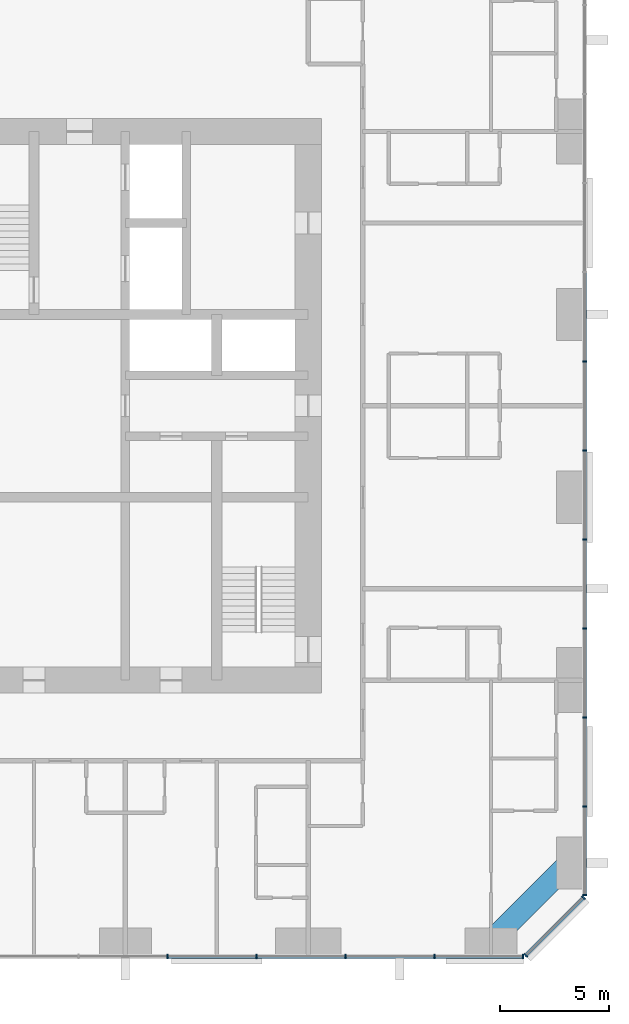
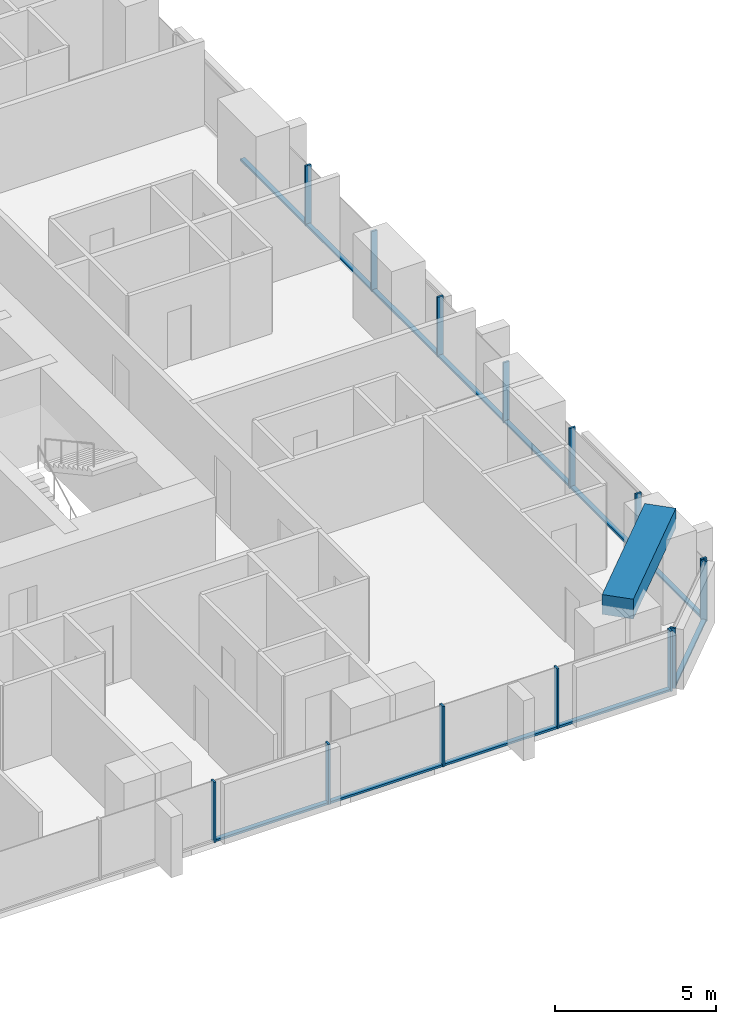
# One storey, part 4 of 13: 26 members, 1 beam, 3 elements without a shape of their own.
"""IFC4 building model written with IfcOpenShell, lengths in metres."""

from ifc_helpers import new_model, si_unit, direction, frame, origin, origin_2d, place, context, subcontext, project, spatial, rectangle, extrude, material, material_profile, profile_set, type_object, element, aggregate, save


model = new_model("IFC4")

# Units and contexts
model_context = context("Model", 3, precision=1e-05, world=origin(), true_north=direction((0.0, 1.0)))
body_context = subcontext(model_context, "Body", "Model", "MODEL_VIEW")
ifc_project = project(units=[si_unit("LENGTHUNIT", "METRE"), si_unit("AREAUNIT", "SQUARE_METRE"), si_unit("VOLUMEUNIT", "CUBIC_METRE"), si_unit("PLANEANGLEUNIT", "RADIAN"), si_unit("MASSUNIT", "GRAM", prefix="KILO")], contexts=[model_context])

# Site, building, storey
site_placement = place(None, origin())
site = spatial("IfcSite", under=ifc_project, at=site_placement, CompositionType="ELEMENT")
building_placement = place(site_placement, origin())
building = spatial("IfcBuilding", under=site, at=building_placement, Name="Dunama Terrace Hotel", CompositionType="ELEMENT")
storey_placement = place(building_placement, frame((0.0, 0.0, 216.60009765625)))
storey = spatial("IfcBuildingStorey", under=building, at=storey_placement, Name="L56", CompositionType="ELEMENT", Elevation=216.60009765625)

# Curtain wall, members
ifc_material_1 = material(Name="Aluminium curtain wall system", Category="aluminium")
curtain_wall_type = type_object("IfcCurtainWallType", Name="Unitised fritted glass wall CW-C", PredefinedType="NOTDEFINED", material=ifc_material_1)
curtain_wall_1_placement = place(storey_placement, origin())
curtain_wall_1 = element("IfcCurtainWall", 1, at=curtain_wall_1_placement, inside=storey, type_object=curtain_wall_type, Name="Unitised fritted glass wall CW-C L56", PredefinedType="NOTDEFINED")
ifc_material_2 = material(Name="Aluminium mullion", Category="aluminium")
ifc_material_profile_1 = material_profile(ifc_material_2, rectangle(XDim=0.070068359375, YDim=0.199951171875, at=origin_2d()), Name="CWC MULLION 70X200")
ifc_profile_set_1 = profile_set([ifc_material_profile_1], Name="Aluminium mullion")
member_type_1 = type_object("IfcMemberType", Name="CWC mullion 70x200", PredefinedType="MULLION", material=ifc_profile_set_1)
member_1_placement = place(storey_placement, frame((35.535888671875, 4.10009765625, 0.0), z_axis=(0.0, 0.0, 1.0), x_axis=(1.0, 0.0, 0.0)))
member_1 = element("IfcMember", 2, at=member_1_placement, type_object=member_type_1, Name="CWC mullion", PredefinedType="MULLION", context=body_context, shape_type="SweptSolid", body=[
    extrude(rectangle(XDim=0.070068359375, YDim=0.199951171875, at=origin_2d()), origin(), (0.0, 0.0, 1.0), 2.27880859375),
])
member_2_placement = place(storey_placement, frame((39.626953125, 4.10009765625, 0.0), z_axis=(0.0, 0.0, 1.0), x_axis=(1.0, 0.0, 0.0)))
member_2 = element("IfcMember", 3, at=member_2_placement, type_object=member_type_1, Name="CWC mullion", PredefinedType="MULLION", context=body_context, shape_type="SweptSolid", body=[
    extrude(rectangle(XDim=0.070068359375, YDim=0.199951171875, at=origin_2d()), origin(), (0.0, 0.0, 1.0), 2.27880859375),
])
member_3_placement = place(storey_placement, frame((43.718017578125, 4.10009765625, 0.0), z_axis=(0.0, 0.0, 1.0), x_axis=(1.0, 0.0, 0.0)))
member_3 = element("IfcMember", 4, at=member_3_placement, type_object=member_type_1, Name="CWC mullion", PredefinedType="MULLION", context=body_context, shape_type="SweptSolid", body=[
    extrude(rectangle(XDim=0.070068359375, YDim=0.199951171875, at=origin_2d()), origin(), (0.0, 0.0, 1.0), 2.27880859375),
])
member_4_placement = place(storey_placement, frame((47.80908203125, 4.10009765625, 0.0), z_axis=(0.0, 0.0, 1.0), x_axis=(1.0, 0.0, 0.0)))
member_4 = element("IfcMember", 5, at=member_4_placement, type_object=member_type_1, Name="CWC mullion", PredefinedType="MULLION", context=body_context, shape_type="SweptSolid", body=[
    extrude(rectangle(XDim=0.070068359375, YDim=0.199951171875, at=origin_2d()), origin(), (0.0, 0.0, 1.0), 2.27880859375),
])
member_5_placement = place(storey_placement, frame((51.864990234375, 4.10009765625, 0.0), z_axis=(0.0, 0.0, 1.0), x_axis=(1.0, 0.0, 0.0)))
member_5 = element("IfcMember", 6, at=member_5_placement, type_object=member_type_1, Name="CWC mullion", PredefinedType="MULLION", context=body_context, shape_type="SweptSolid", body=[
    extrude(rectangle(XDim=0.070068359375, YDim=0.199951171875, at=origin_2d()), origin(), (0.0, 0.0, 1.0), 2.27880859375),
])

curtain_wall_2_placement = place(storey_placement, origin())
curtain_wall_2 = element("IfcCurtainWall", 7, at=curtain_wall_2_placement, inside=storey, type_object=curtain_wall_type, Name="Unitised fritted glass wall CW-C L56", PredefinedType="NOTDEFINED")
member_6_placement = place(storey_placement, frame((51.9951171875, 4.154052734375, 0.0), z_axis=(0.0, 0.0, 1.0), x_axis=(0.707106781187, 0.707106781187, 0.0)))
member_6 = element("IfcMember", 8, at=member_6_placement, type_object=member_type_1, Name="CWC mullion", PredefinedType="MULLION", context=body_context, shape_type="SweptSolid", body=[
    extrude(rectangle(XDim=0.070068359375, YDim=0.199951171875, at=origin_2d()), origin(), (0.0, 0.0, 1.0), 2.27880859375),
])
member_7_placement = place(storey_placement, frame((54.64599609375, 6.804931640625, 0.0), z_axis=(0.0, 0.0, 1.0), x_axis=(0.707106781187, 0.707106781187, 0.0)))
member_7 = element("IfcMember", 9, at=member_7_placement, type_object=member_type_1, Name="CWC mullion", PredefinedType="MULLION", context=body_context, shape_type="SweptSolid", body=[
    extrude(rectangle(XDim=0.070068359375, YDim=0.199951171875, at=origin_2d()), origin(), (0.0, 0.0, 1.0), 2.27880859375),
])

curtain_wall_3_placement = place(storey_placement, origin())
curtain_wall_3 = element("IfcCurtainWall", 10, at=curtain_wall_3_placement, inside=storey, type_object=curtain_wall_type, Name="Unitised fritted glass wall CW-C L56", PredefinedType="NOTDEFINED")
member_8_placement = place(storey_placement, frame((54.699951171875, 6.93505859375, 0.0), z_axis=(0.0, 0.0, 1.0), x_axis=(0.0, 1.0, 0.0)))
member_8 = element("IfcMember", 11, at=member_8_placement, type_object=member_type_1, Name="CWC mullion", PredefinedType="MULLION", context=body_context, shape_type="SweptSolid", body=[
    extrude(rectangle(XDim=0.070068359375, YDim=0.199951171875, at=origin_2d()), origin(), (0.0, 0.0, 1.0), 2.27880859375),
])
member_9_placement = place(storey_placement, frame((54.699951171875, 10.990966796875, 0.0), z_axis=(0.0, 0.0, 1.0), x_axis=(0.0, 1.0, 0.0)))
member_9 = element("IfcMember", 12, at=member_9_placement, type_object=member_type_1, Name="CWC mullion", PredefinedType="MULLION", context=body_context, shape_type="SweptSolid", body=[
    extrude(rectangle(XDim=0.070068359375, YDim=0.199951171875, at=origin_2d()), origin(), (0.0, 0.0, 1.0), 2.27880859375),
])
member_10_placement = place(storey_placement, frame((54.699951171875, 15.08203125, 0.0), z_axis=(0.0, 0.0, 1.0), x_axis=(0.0, 1.0, 0.0)))
member_10 = element("IfcMember", 13, at=member_10_placement, type_object=member_type_1, Name="CWC mullion", PredefinedType="MULLION", context=body_context, shape_type="SweptSolid", body=[
    extrude(rectangle(XDim=0.070068359375, YDim=0.199951171875, at=origin_2d()), origin(), (0.0, 0.0, 1.0), 2.27880859375),
])
member_11_placement = place(storey_placement, frame((54.699951171875, 19.173095703125, 0.0), z_axis=(0.0, 0.0, 1.0), x_axis=(0.0, 1.0, 0.0)))
member_11 = element("IfcMember", 14, at=member_11_placement, type_object=member_type_1, Name="CWC mullion", PredefinedType="MULLION", context=body_context, shape_type="SweptSolid", body=[
    extrude(rectangle(XDim=0.070068359375, YDim=0.199951171875, at=origin_2d()), origin(), (0.0, 0.0, 1.0), 2.27880859375),
])
member_12_placement = place(storey_placement, frame((54.699951171875, 23.263916015625, 0.0), z_axis=(0.0, 0.0, 1.0), x_axis=(0.0, 1.0, 0.0)))
member_12 = element("IfcMember", 15, at=member_12_placement, type_object=member_type_1, Name="CWC mullion", PredefinedType="MULLION", context=body_context, shape_type="SweptSolid", body=[
    extrude(rectangle(XDim=0.070068359375, YDim=0.199951171875, at=origin_2d()), origin(), (0.0, 0.0, 1.0), 2.27880859375),
])
member_13_placement = place(storey_placement, frame((54.699951171875, 27.35498046875, 0.0), z_axis=(0.0, 0.0, 1.0), x_axis=(0.0, 1.0, 0.0)))
member_13 = element("IfcMember", 16, at=member_13_placement, type_object=member_type_1, Name="CWC mullion", PredefinedType="MULLION", context=body_context, shape_type="SweptSolid", body=[
    extrude(rectangle(XDim=0.070068359375, YDim=0.199951171875, at=origin_2d()), origin(), (0.0, 0.0, 1.0), 2.27880859375),
])
member_14_placement = place(storey_placement, frame((54.699951171875, 31.445068359375, 0.0), z_axis=(0.0, 0.0, 1.0), x_axis=(0.0, 1.0, 0.0)))
member_14 = element("IfcMember", 17, at=member_14_placement, type_object=member_type_1, Name="CWC mullion", PredefinedType="MULLION", context=body_context, shape_type="SweptSolid", body=[
    extrude(rectangle(XDim=0.070068359375, YDim=0.199951171875, at=origin_2d()), origin(), (0.0, 0.0, 1.0), 2.27880859375),
])

# Member
ifc_material_3 = material(Name="Aluminium transom", Category="aluminium")
ifc_material_profile_2 = material_profile(ifc_material_3, rectangle(XDim=0.159912109375, YDim=0.080078125, at=origin_2d()), Name="CWC TRANSOM 160X80")
ifc_profile_set_2 = profile_set([ifc_material_profile_2], Name="Aluminium transom")
member_type_2 = type_object("IfcMemberType", Name="CWC transom 160x80", PredefinedType="USERDEFINED", material=ifc_profile_set_2)
member_15_placement = place(storey_placement, frame((35.571044921875, 4.10009765625, 0.039794921875), z_axis=(1.0, 0.0, 0.0), x_axis=(0.0, 1.0, 0.0)))
member_15 = element("IfcMember", 18, at=member_15_placement, type_object=member_type_2, Name="CWC transom", ObjectType="TRANSOM", PredefinedType="USERDEFINED", context=body_context, shape_type="SweptSolid", body=[
    extrude(rectangle(XDim=0.159912109375, YDim=0.080078125, at=origin_2d()), origin(), (0.0, 0.0, 1.0), 4.02099609375),
])

member_16_placement = place(storey_placement, frame((39.662109375, 4.10009765625, 0.039794921875), z_axis=(1.0, 0.0, 0.0), x_axis=(0.0, 1.0, 0.0)))
member_16 = element("IfcMember", 19, at=member_16_placement, type_object=member_type_2, Name="CWC transom", ObjectType="TRANSOM", PredefinedType="USERDEFINED", context=body_context, shape_type="SweptSolid", body=[
    extrude(rectangle(XDim=0.159912109375, YDim=0.080078125, at=origin_2d()), origin(), (0.0, 0.0, 1.0), 4.02099609375),
])

member_17_placement = place(storey_placement, frame((43.7529296875, 4.10009765625, 0.039794921875), z_axis=(1.0, 0.0, 0.0), x_axis=(0.0, 1.0, 0.0)))
member_17 = element("IfcMember", 20, at=member_17_placement, type_object=member_type_2, Name="CWC transom", ObjectType="TRANSOM", PredefinedType="USERDEFINED", context=body_context, shape_type="SweptSolid", body=[
    extrude(rectangle(XDim=0.159912109375, YDim=0.080078125, at=origin_2d()), origin(), (0.0, 0.0, 1.0), 4.02099609375),
])

member_18_placement = place(storey_placement, frame((47.843994140625, 4.10009765625, 0.039794921875), z_axis=(1.0, 0.0, 0.0), x_axis=(0.0, 1.0, 0.0)))
member_18 = element("IfcMember", 21, at=member_18_placement, type_object=member_type_2, Name="CWC transom", ObjectType="TRANSOM", PredefinedType="USERDEFINED", context=body_context, shape_type="SweptSolid", body=[
    extrude(rectangle(XDim=0.159912109375, YDim=0.080078125, at=origin_2d()), origin(), (0.0, 0.0, 1.0), 3.986083984375),
])

aggregate(curtain_wall_1, [member_1, member_2, member_3, member_4, member_5, member_15, member_16, member_17, member_18])

member_19_placement = place(storey_placement, frame((52.02001953125, 4.178955078125, 0.039794921875), z_axis=(0.707106781187, 0.707106781187, 0.0), x_axis=(-0.707106781187, 0.707106781187, 0.0)))
member_19 = element("IfcMember", 22, at=member_19_placement, type_object=member_type_2, Name="CWC transom", ObjectType="TRANSOM", PredefinedType="USERDEFINED", context=body_context, shape_type="SweptSolid", body=[
    extrude(rectangle(XDim=0.159912109375, YDim=0.080078125, at=origin_2d()), origin(), (0.0, 0.0, 1.0), 3.678466796875),
])

aggregate(curtain_wall_2, [member_6, member_7, member_19])

member_20_placement = place(storey_placement, frame((54.699951171875, 6.969970703125, 0.039794921875), z_axis=(0.0, 1.0, 0.0), x_axis=(-1.0, 0.0, 0.0)))
member_20 = element("IfcMember", 23, at=member_20_placement, type_object=member_type_2, Name="CWC transom", ObjectType="TRANSOM", PredefinedType="USERDEFINED", context=body_context, shape_type="SweptSolid", body=[
    extrude(rectangle(XDim=0.159912109375, YDim=0.080078125, at=origin_2d()), origin(), (0.0, 0.0, 1.0), 3.986083984375),
])

member_21_placement = place(storey_placement, frame((54.699951171875, 11.02587890625, 0.039794921875), z_axis=(0.0, 1.0, 0.0), x_axis=(-1.0, 0.0, 0.0)))
member_21 = element("IfcMember", 24, at=member_21_placement, type_object=member_type_2, Name="CWC transom", ObjectType="TRANSOM", PredefinedType="USERDEFINED", context=body_context, shape_type="SweptSolid", body=[
    extrude(rectangle(XDim=0.159912109375, YDim=0.080078125, at=origin_2d()), origin(), (0.0, 0.0, 1.0), 4.021240234375),
])

member_22_placement = place(storey_placement, frame((54.699951171875, 15.116943359375, 0.039794921875), z_axis=(0.0, 1.0, 0.0), x_axis=(-1.0, 0.0, 0.0)))
member_22 = element("IfcMember", 25, at=member_22_placement, type_object=member_type_2, Name="CWC transom", ObjectType="TRANSOM", PredefinedType="USERDEFINED", context=body_context, shape_type="SweptSolid", body=[
    extrude(rectangle(XDim=0.159912109375, YDim=0.080078125, at=origin_2d()), origin(), (0.0, 0.0, 1.0), 4.02099609375),
])

member_23_placement = place(storey_placement, frame((54.699951171875, 19.2080078125, 0.039794921875), z_axis=(0.0, 1.0, 0.0), x_axis=(-1.0, 0.0, 0.0)))
member_23 = element("IfcMember", 26, at=member_23_placement, type_object=member_type_2, Name="CWC transom", ObjectType="TRANSOM", PredefinedType="USERDEFINED", context=body_context, shape_type="SweptSolid", body=[
    extrude(rectangle(XDim=0.159912109375, YDim=0.080078125, at=origin_2d()), origin(), (0.0, 0.0, 1.0), 4.02099609375),
])

member_24_placement = place(storey_placement, frame((54.699951171875, 23.299072265625, 0.039794921875), z_axis=(0.0, 1.0, 0.0), x_axis=(-1.0, 0.0, 0.0)))
member_24 = element("IfcMember", 27, at=member_24_placement, type_object=member_type_2, Name="CWC transom", ObjectType="TRANSOM", PredefinedType="USERDEFINED", context=body_context, shape_type="SweptSolid", body=[
    extrude(rectangle(XDim=0.159912109375, YDim=0.080078125, at=origin_2d()), origin(), (0.0, 0.0, 1.0), 4.02099609375),
])

member_25_placement = place(storey_placement, frame((54.699951171875, 27.389892578125, 0.039794921875), z_axis=(0.0, 1.0, 0.0), x_axis=(-1.0, 0.0, 0.0)))
member_25 = element("IfcMember", 28, at=member_25_placement, type_object=member_type_2, Name="CWC transom", ObjectType="TRANSOM", PredefinedType="USERDEFINED", context=body_context, shape_type="SweptSolid", body=[
    extrude(rectangle(XDim=0.159912109375, YDim=0.080078125, at=origin_2d()), origin(), (0.0, 0.0, 1.0), 4.02001953125),
])

member_26_placement = place(storey_placement, frame((54.699951171875, 31.47998046875, 0.039794921875), z_axis=(0.0, 1.0, 0.0), x_axis=(-1.0, 0.0, 0.0)))
member_26 = element("IfcMember", 29, at=member_26_placement, type_object=member_type_2, Name="CWC transom", ObjectType="TRANSOM", PredefinedType="USERDEFINED", context=body_context, shape_type="SweptSolid", body=[
    extrude(rectangle(XDim=0.159912109375, YDim=0.080078125, at=origin_2d()), origin(), (0.0, 0.0, 1.0), 4.02099609375),
])

aggregate(curtain_wall_3, [member_8, member_9, member_10, member_11, member_12, member_13, member_14, member_20, member_21, member_22, member_23, member_24, member_25, member_26])

# Beam
ifc_material_4 = material(Name="Concrete C50/60", Category="concrete")
ifc_material_profile_3 = material_profile(ifc_material_4, rectangle(XDim=1.0, YDim=0.75, at=origin_2d()), Name="RC 1000x750")
ifc_profile_set_3 = profile_set([ifc_material_profile_3], Name="Concrete C50/60")
beam_type = type_object("IfcBeamType", Name="Edge beam RC 1000x750", PredefinedType="SPANDREL", material=ifc_profile_set_3)
beam_placement = place(storey_placement, frame((50.39990234375, 4.800048828125, 3.224853515625), z_axis=(0.707130757816, 0.707082803744, 0.0), x_axis=(-0.707082803744, 0.707130757816, 0.0)))
element("IfcBeam", 30, at=beam_placement, inside=storey, type_object=beam_type, Name="Corner edge beam under L57", PredefinedType="SPANDREL", context=body_context, shape_type="SweptSolid", body=[
    extrude(rectangle(XDim=1.0, YDim=0.75, at=origin_2d()), origin(), (0.0, 0.0, 1.0), 5.091064453125),
])

save(model, "model.ifc")
